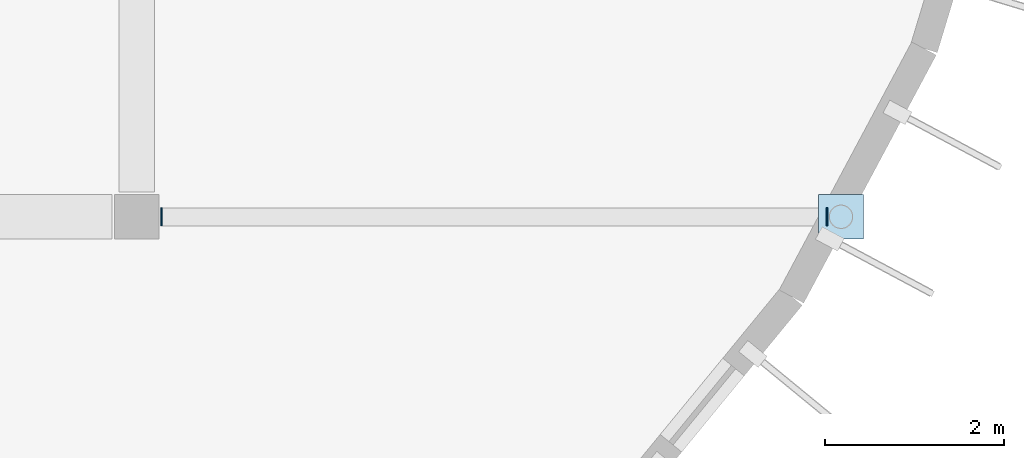
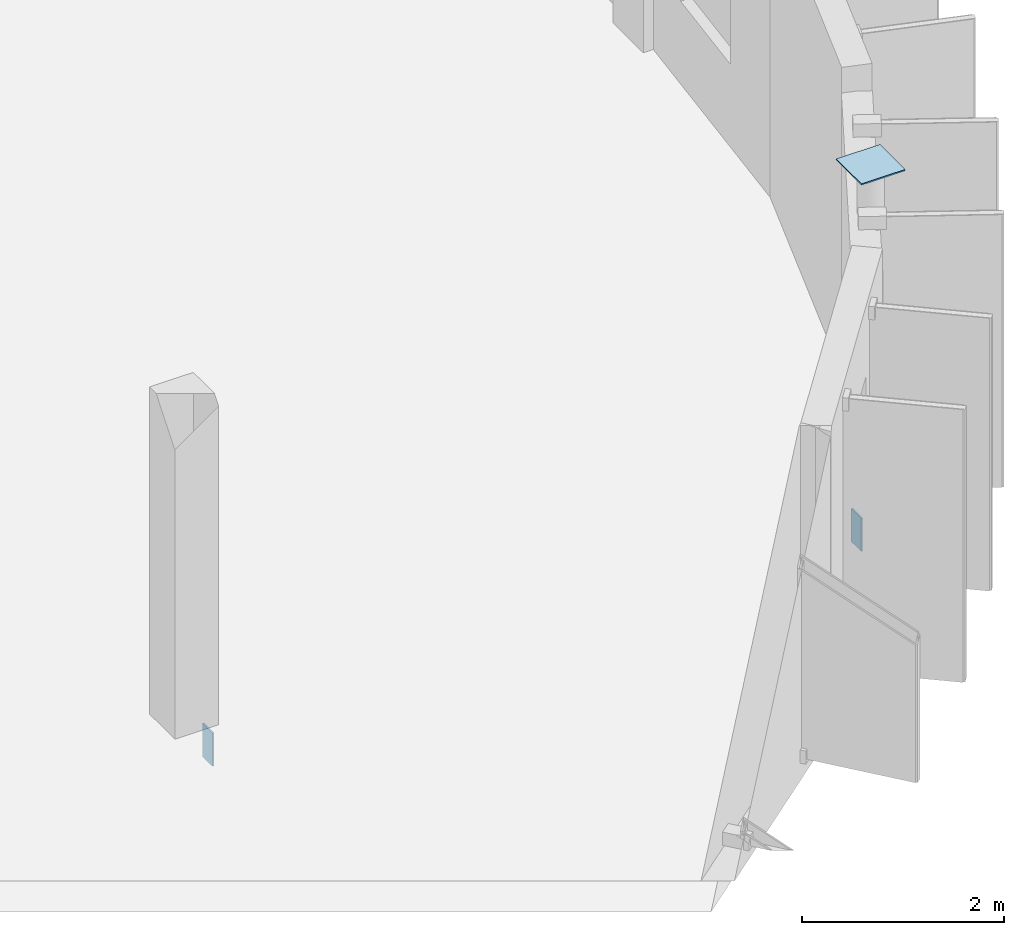
# One storey, part 45 of 66: 3 plates.
"""IFC4 building model written with IfcOpenShell, lengths in metres."""

from ifc_helpers import new_model, si_unit, direction, frame, origin, origin_2d, place, context, subcontext, project, spatial, rectangle, extrude, material, layer, layer_set, type_object, element, save


model = new_model("IFC4")

# Units and contexts
model_context = context("Model", 3, precision=1e-05, world=origin(), true_north=direction((0.0, 1.0)))
body_context = subcontext(model_context, "Body", "Model", "MODEL_VIEW")
ifc_project = project(units=[si_unit("LENGTHUNIT", "METRE"), si_unit("AREAUNIT", "SQUARE_METRE"), si_unit("VOLUMEUNIT", "CUBIC_METRE"), si_unit("PLANEANGLEUNIT", "RADIAN"), si_unit("MASSUNIT", "GRAM", prefix="KILO")], contexts=[model_context])

# Site, building, storey
site_placement = place(None, origin())
site = spatial("IfcSite", under=ifc_project, at=site_placement, CompositionType="ELEMENT")
building_placement = place(site_placement, origin())
building = spatial("IfcBuilding", under=site, at=building_placement, Name="Drelvana Railside Aquatics Centre", CompositionType="ELEMENT")
storey_placement = place(building_placement, frame((0.0, 0.0, 10.199951171875)))
storey = spatial("IfcBuildingStorey", under=building, at=storey_placement, Name="L02", CompositionType="ELEMENT", Elevation=10.199951171875)

# Plates
ifc_material = material(Name="Structural steel S355", Category="steel")
ifc_layer_1 = layer(ifc_material, 0.014892578125, Name="Structural steel S355")
ifc_layer_set_1 = layer_set([ifc_layer_1], Name="Structural steel S355")
plate_type_1 = type_object("IfcPlateType", Name="STR-PLT-PL-01", PredefinedType="SHEET", material=ifc_layer_set_1)
plate_placement = place(storey_placement, frame((181.8564453125, 16.0, 3.95263671875), z_axis=(0.0, 0.0, 1.0), x_axis=(1.0, 0.0, 0.0)))
element("IfcPlate", 1, at=plate_placement, inside=storey, type_object=plate_type_1, Name="Steel bearing cap plate PL-01 #8", PredefinedType="SHEET", context=body_context, shape_type="SweptSolid", body=[
    extrude(rectangle(XDim=0.5, YDim=0.5, at=origin_2d()), origin(), (0.0, 0.0, 1.0), 0.014892578125),
])
ifc_layer_2 = layer(ifc_material, 0.01806640625, Name="Structural steel S355")
ifc_layer_set_2 = layer_set([ifc_layer_2], Name="Structural steel S355")
plate_type_2 = type_object("IfcPlateType", Name="STR-PLT-PL-06", PredefinedType="SHEET", material=ifc_layer_set_2)
for number, where, z_axis, x_axis, name in (
    (2, (174.27490234375, 16.0, -0.599853515625), (0.0, 0.0, 1.0), (1.0, 0.0, 0.0), "Beam end cap plate PL-06 (L02)"),
    (3, (181.697998046875, 16.0, -0.599853515625), (0.0, 0.0, 1.0), (1.0, 0.0, 0.0), "Beam end cap plate PL-06 (L02)"),
):
    element("IfcPlate", number, at=place(storey_placement, frame(where, z_axis=z_axis, x_axis=x_axis)), inside=storey, type_object=plate_type_2, Name=name, PredefinedType="SHEET", context=body_context, shape_type="SweptSolid", body=[
        extrude(rectangle(XDim=0.01806640625, YDim=0.199951171875, at=origin_2d()), origin(), (0.0, 0.0, 1.0), 0.39990234375),
    ])

save(model, "model.ifc")
